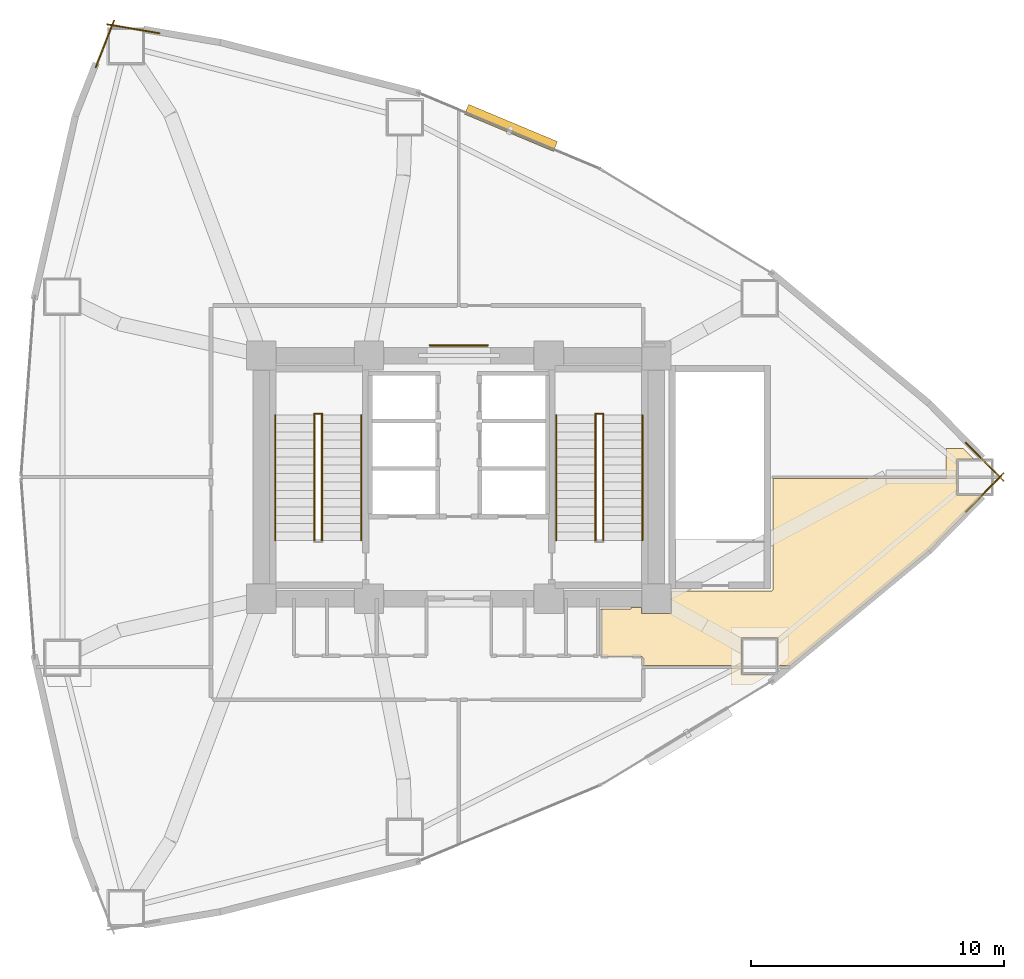
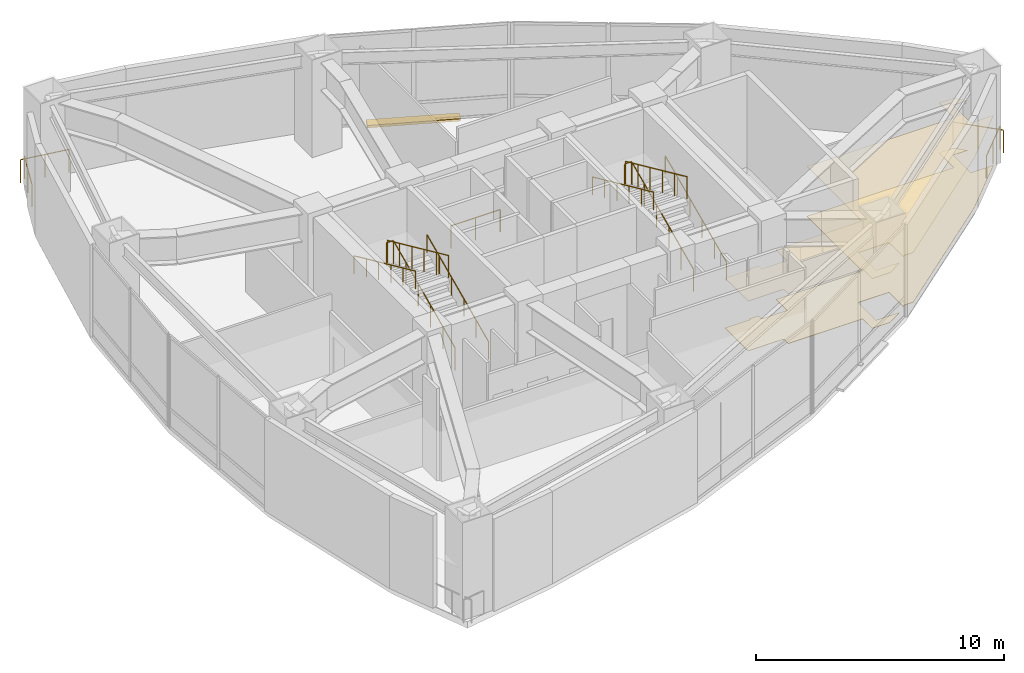
# One storey, part 19 of 19: 15 railings, 2 coverings, 1 shading device.
"""IFC4 building model written with IfcOpenShell, lengths in metres."""

import ifcopenshell
import ifcopenshell.guid

model = None  # the IFC model being written
_history = None  # IfcOwnerHistory: only IFC2X3 demands one
_inside = {}  # id of a spatial element -> (the spatial element, [elements in it])
_under = {}  # id of a project, library or spatial element -> (it, [spatial elements below it])
_declared = {}  # id of a project -> (the project, [libraries it declares])
_typed = {}  # id of a type object -> (the type object, [elements of that type])
_made_of = {}  # id of a material, layer set ... -> (it, [elements and type objects made of it])


def new_model(schema):
    """Start an empty IFC model of exactly this schema.

    Asked for "IFC4X3", IfcOpenShell would pick the latest addendum, in which some entities
    have other attributes; the version numbers below select the first issue.
    IFC2X3 requires an IfcOwnerHistory on every rooted entity: one is made here for all.
    """
    global model, _history
    if schema == "IFC4X3":
        model = ifcopenshell.file(schema_version=(4, 3, 0, 0))
    else:
        model = ifcopenshell.file(schema=schema)
    _inside.clear()
    _under.clear()
    _declared.clear()
    _typed.clear()
    _made_of.clear()
    _history = None
    if model.schema == "IFC2X3":
        org = make("IfcOrganization", Name="unknown")
        user = make(
            "IfcPersonAndOrganization",
            ThePerson=make("IfcPerson", FamilyName="unknown"),
            TheOrganization=org,
        )
        app = make(
            "IfcApplication",
            ApplicationDeveloper=org,
            Version="unknown",
            ApplicationFullName="unknown",
            ApplicationIdentifier="unknown",
        )
        _history = make(
            "IfcOwnerHistory",
            OwningUser=user,
            OwningApplication=app,
            ChangeAction="ADDED",
            CreationDate=0,
        )
    return model


def make(cls, **values):
    """One entity of the class cls with the attributes given. An attribute that is None is left unset."""
    return model.create_entity(
        cls, **{name: value for name, value in values.items() if value is not None}
    )


def rooted(cls, **values):
    """An entity with a GlobalId (a new one), such as an element, a storey or a relation."""
    return make(cls, GlobalId=ifcopenshell.guid.new(), OwnerHistory=_history, **values)


def si_unit(unit_type, name, prefix=None):
    """IfcSIUnit, for example si_unit("LENGTHUNIT", "METRE", prefix="MILLI")."""
    return make("IfcSIUnit", UnitType=unit_type, Prefix=prefix, Name=name)


def assignment(units):
    """IfcUnitAssignment: the units of a project."""
    return None if units is None else make("IfcUnitAssignment", Units=units)


def point(xyz):
    """IfcCartesianPoint."""
    return None if xyz is None else make("IfcCartesianPoint", Coordinates=xyz)


def direction(xyz):
    """IfcDirection."""
    return None if xyz is None else make("IfcDirection", DirectionRatios=xyz)


def frame(location, z_axis=None, x_axis=None):
    """IfcAxis2Placement3D, a coordinate frame: its origin and axes. An axis left out is left unset."""
    return make(
        "IfcAxis2Placement3D",
        Location=point(location),
        Axis=direction(z_axis),
        RefDirection=direction(x_axis),
    )


def frame_2d(location, x_axis=None):
    """IfcAxis2Placement2D, a coordinate frame in the plane: its origin and x axis."""
    return make(
        "IfcAxis2Placement2D", Location=point(location), RefDirection=direction(x_axis)
    )


def origin():
    """The frame at (0, 0, 0) with its axes left unset."""
    return frame((0.0, 0.0, 0.0))


def origin_2d():
    """The frame at (0, 0) in the plane with its x axis left unset."""
    return frame_2d((0.0, 0.0))


def place(relative_to, where):
    """IfcLocalPlacement: puts the frame where relative to a parent placement (None: the world)."""
    return make(
        "IfcLocalPlacement", PlacementRelTo=relative_to, RelativePlacement=where
    )


def context(
    kind, dimensions, precision=None, world=None, true_north=None, identifier=None
):
    """IfcGeometricRepresentationContext, for example the 3D "Model" context."""
    return make(
        "IfcGeometricRepresentationContext",
        ContextIdentifier=identifier,
        ContextType=kind,
        CoordinateSpaceDimension=dimensions,
        Precision=precision,
        WorldCoordinateSystem=world,
        TrueNorth=true_north,
    )


def subcontext(parent, identifier, kind, view, scale=None):
    """IfcGeometricRepresentationSubContext, for example "Body" below "Model"."""
    return make(
        "IfcGeometricRepresentationSubContext",
        ContextIdentifier=identifier,
        ContextType=kind,
        ParentContext=parent,
        TargetScale=scale,
        TargetView=view,
    )


def project(units=None, contexts=None):
    """IfcProject with its units and contexts."""
    return rooted(
        "IfcProject",
        Name="project",
        RepresentationContexts=contexts,
        UnitsInContext=assignment(units),
    )


def spatial(cls, under=None, at=None, **own):
    """A site, building, storey or space (cls), placed at a placement, below another one or the project."""
    s = rooted(cls, ObjectPlacement=at, **own)
    if under is not None:
        _under.setdefault(under.id(), (under, []))[1].append(s)
    return s


def polyline(points):
    """IfcPolyline through the points."""
    return make("IfcPolyline", Points=[point(p) for p in points])


def profile(cls, at=None, kind="AREA", **sizes):
    """A parametric profile (cls). Its sizes go by their IFC names, for example OverallWidth=200.0."""
    return make(cls, ProfileType=kind, Position=at, **sizes)


def rectangle(**sizes):
    """IfcRectangleProfileDef."""
    return profile("IfcRectangleProfileDef", **sizes)


def circle(**sizes):
    """IfcCircleProfileDef."""
    return profile("IfcCircleProfileDef", **sizes)


def outline(outer, holes=None, kind="AREA"):
    """IfcArbitraryClosedProfileDef: a profile drawn as a closed curve; with holes, ...WithVoids."""
    if holes is None:
        return make("IfcArbitraryClosedProfileDef", ProfileType=kind, OuterCurve=outer)
    return make(
        "IfcArbitraryProfileDefWithVoids",
        ProfileType=kind,
        OuterCurve=outer,
        InnerCurves=holes,
    )


def extrude(swept, where, along, depth):
    """IfcExtrudedAreaSolid: the profile swept, set in the frame where, extruded along a direction by depth."""
    return make(
        "IfcExtrudedAreaSolid",
        SweptArea=swept,
        Position=where,
        ExtrudedDirection=direction(along),
        Depth=depth,
    )


def shape(context_of_items, identifier, shape_type, items):
    """IfcShapeRepresentation: the items that make up one representation, for example the "Body"."""
    return make(
        "IfcShapeRepresentation",
        ContextOfItems=context_of_items,
        RepresentationIdentifier=identifier,
        RepresentationType=shape_type,
        Items=items,
    )


def material(Name=None, Category=None):
    """IfcMaterial."""
    return make("IfcMaterial", Name=Name, Category=Category)


def layer(
    of_material, thickness, ventilated=None, Name=None, Category=None, Priority=None
):
    """IfcMaterialLayer: one layer of a wall or slab, of a material (None: an air gap)."""
    return make(
        "IfcMaterialLayer",
        Material=of_material,
        LayerThickness=thickness,
        IsVentilated=ventilated,
        Name=Name,
        Category=Category,
        Priority=Priority,
    )


def layer_set(layers, Name=None):
    """IfcMaterialLayerSet."""
    return make("IfcMaterialLayerSet", MaterialLayers=layers, LayerSetName=Name)


def made_of(thing, what):
    """Note that an element or type object is made of a material, layer set ...; save() writes the relation."""
    if what is not None:
        _made_of.setdefault(what.id(), (what, []))[1].append(thing)
    return thing


def type_object(cls, material=None, **own):
    """A type object (cls), such as IfcWallType, which elements share."""
    return made_of(rooted(cls, **own), material)


def element(
    cls,
    number,
    at=None,
    inside=None,
    cuts=None,
    type_object=None,
    material=None,
    context=None,
    identifier="Body",
    shape_type=None,
    held_by="IfcProductDefinitionShape",
    body=None,
    shapes=None,
    **own,
):
    """One element of the class cls, such as IfcWall. Its Tag is "e" and its number.

    at: its placement. inside: the storey or other place that contains it. cuts: it is an
    opening in that element (IfcRelVoidsElement). A single representation is given by context,
    identifier, shape_type and body (its items); several are given by shapes. held_by: the class
    of the entity that holds the representations. save() writes the other relations.
    """
    e = rooted(cls, Tag="e%d" % number, ObjectPlacement=at, **own)
    if body is not None:
        shapes = [shape(context, identifier, shape_type, body)]
    if shapes is not None:
        e.Representation = make(held_by, Representations=shapes)
    if inside is not None:
        _inside.setdefault(inside.id(), (inside, []))[1].append(e)
    if cuts is not None:
        rooted(
            "IfcRelVoidsElement", RelatingBuildingElement=cuts, RelatedOpeningElement=e
        )
    if type_object is not None:
        _typed.setdefault(type_object.id(), (type_object, []))[1].append(e)
    return made_of(e, material)


def aggregate(whole, parts):
    """IfcRelAggregates: a whole, such as a stair, and the parts it consists of."""
    return rooted("IfcRelAggregates", RelatingObject=whole, RelatedObjects=parts)


def save(model, path):
    """Write the relations noted so far, then the file.

    IfcRelAggregates (storeys below a building ...), IfcRelContainedInSpatialStructure (elements
    in a storey), IfcRelDefinesByType, IfcRelAssociatesMaterial and IfcRelDeclares: one each for
    every whole, place, type object, material and project.
    """
    for whole, parts in _under.values():
        aggregate(whole, parts)
    for where, things in _inside.values():
        rooted(
            "IfcRelContainedInSpatialStructure",
            RelatedElements=things,
            RelatingStructure=where,
        )
    for kind, things in _typed.values():
        rooted("IfcRelDefinesByType", RelatedObjects=things, RelatingType=kind)
    for what, things in _made_of.values():
        rooted("IfcRelAssociatesMaterial", RelatedObjects=things, RelatingMaterial=what)
    for by, libraries in _declared.values():
        rooted("IfcRelDeclares", RelatingContext=by, RelatedDefinitions=libraries)
    model.write(path)


model = new_model("IFC4")

# Units and contexts
model_context = context("Model", 3, precision=1e-05, world=origin(), true_north=direction((0.0, 1.0)))
body_context = subcontext(model_context, "Body", "Model", "MODEL_VIEW")
ifc_project = project(units=[si_unit("LENGTHUNIT", "METRE"), si_unit("AREAUNIT", "SQUARE_METRE"), si_unit("VOLUMEUNIT", "CUBIC_METRE"), si_unit("PLANEANGLEUNIT", "RADIAN"), si_unit("MASSUNIT", "GRAM", prefix="KILO")], contexts=[model_context])

# Site, building, storey
site_placement = place(None, origin())
site = spatial("IfcSite", under=ifc_project, at=site_placement, CompositionType="ELEMENT")
building_placement = place(site_placement, origin())
building = spatial("IfcBuilding", under=site, at=building_placement, Name="Menara Vayukalpa", CompositionType="ELEMENT")
storey_placement = place(building_placement, frame((0.0, 0.0, 22.800048828125)))
storey = spatial("IfcBuildingStorey", under=building, at=storey_placement, Name="L04", CompositionType="ELEMENT", Elevation=22.800048828125)

# Coverings
ifc_material_1 = material(Name="Mineral Fibre Acoustic Ceiling Tile", Category="masonry")
ifc_layer_1 = layer(ifc_material_1, 0.02490234375)
ifc_layer_set_1 = layer_set([ifc_layer_1], Name="Mineral Fibre Acoustic Ceiling Tile")
covering_type_1 = type_object("IfcCoveringType", Name="COV-CLG1", PredefinedType="CEILING", material=ifc_layer_set_1)
covering_1_placement = place(storey_placement, frame((0.0, 0.0, 2.449951171875)))
element("IfcCovering", 1, at=covering_1_placement, inside=storey, type_object=covering_type_1, Name="L04 Executive Seminar Hall Acoustic Ceiling", PredefinedType="CEILING", context=body_context, shape_type="SweptSolid", body=[
    extrude(outline(polyline([(37.17919921875, 13.794189453125), (36.339111328125, 13.794189453125), (36.339111328125, 14.56005859375), (32.8798828125, 14.56005859375), (32.87890625, 14.56005859375), (32.8779296875, 14.560302734375), (32.877197265625, 14.560302734375), (32.876220703125, 14.560791015625), (32.875244140625, 14.561279296875), (32.87451171875, 14.561767578125), (32.873779296875, 14.562255859375), (32.872802734375, 14.56298828125), (32.872314453125, 14.563720703125), (32.87158203125, 14.564453125), (32.87109375, 14.565185546875), (32.870849609375, 14.566162109375), (32.870361328125, 14.567138671875), (32.8701171875, 14.568115234375), (32.8701171875, 14.569091796875), (32.8701171875, 14.570068359375), (32.8701171875, 14.849609375), (32.86962890625, 14.856689453125), (32.86865234375, 14.86376953125), (32.866943359375, 14.870361328125), (32.86474609375, 14.876708984375), (32.86181640625, 14.883056640625), (32.858154296875, 14.888916015625), (32.85400390625, 14.89453125), (32.849609375, 14.8994140625), (32.844482421875, 14.904052734375), (32.8388671875, 14.908203125), (32.8330078125, 14.911865234375), (32.826904296875, 14.914794921875), (32.8203125, 14.9169921875), (32.813720703125, 14.918701171875), (32.806884765625, 14.919677734375), (32.7998046875, 14.919921875), (31.219970703125, 14.919921875), (31.218994140625, 14.919921875), (31.218017578125, 14.920166015625), (31.217041015625, 14.92041015625), (31.21630859375, 14.9208984375), (31.21533203125, 14.921142578125), (31.21435546875, 14.921630859375), (31.213623046875, 14.92236328125), (31.212890625, 14.9228515625), (31.21240234375, 14.923583984375), (31.211669921875, 14.92431640625), (31.211181640625, 14.92529296875), (31.210693359375, 14.92626953125), (31.21044921875, 14.927001953125), (31.210205078125, 14.927978515625), (31.2099609375, 14.928955078125), (31.2099609375, 14.929931640625), (31.2099609375, 16.780029296875), (31.2099609375, 16.781005859375), (31.210205078125, 16.781982421875), (31.21044921875, 16.782958984375), (31.210693359375, 16.78369140625), (31.211181640625, 16.78466796875), (31.211669921875, 16.78564453125), (31.21240234375, 16.786376953125), (31.212890625, 16.787109375), (31.213623046875, 16.78759765625), (31.21435546875, 16.788330078125), (31.21533203125, 16.788818359375), (31.21630859375, 16.789306640625), (31.217041015625, 16.78955078125), (31.218017578125, 16.789794921875), (31.218994140625, 16.7900390625), (31.219970703125, 16.7900390625), (32.389892578125, 16.7900390625), (32.389892578125, 16.85009765625), (32.81005859375, 16.85009765625), (32.81005859375, 16.610107421875), (33.989990234375, 16.610107421875), (33.989990234375, 17.5), (37.9296875, 17.5), (37.936767578125, 17.50048828125), (37.943603515625, 17.501220703125), (37.9501953125, 17.5029296875), (37.956787109375, 17.50537109375), (37.962890625, 17.50830078125), (37.96875, 17.51171875), (37.974609375, 17.51611328125), (37.9794921875, 17.5205078125), (37.98388671875, 17.525390625), (37.98828125, 17.53125), (37.99169921875, 17.537109375), (37.99462890625, 17.543212890625), (37.9970703125, 17.5498046875), (37.998779296875, 17.556396484375), (37.99951171875, 17.563232421875), (38.0, 17.5703125), (38.0, 21.929931640625), (38.0, 21.930908203125), (38.000244140625, 21.931884765625), (38.00048828125, 21.932861328125), (38.000732421875, 21.933837890625), (38.001220703125, 21.934814453125), (38.001708984375, 21.935546875), (38.002197265625, 21.936279296875), (38.0029296875, 21.93701171875), (38.003662109375, 21.937744140625), (38.00439453125, 21.938232421875), (38.00537109375, 21.938720703125), (38.006103515625, 21.939208984375), (38.007080078125, 21.939697265625), (38.008056640625, 21.939697265625), (38.009033203125, 21.93994140625), (38.010009765625, 21.93994140625), (44.84423828125, 21.93994140625), (44.84423828125, 23.135009765625), (45.5224609375, 23.135009765625), (45.934814453125, 22.715087890625), (45.26416015625, 22.715087890625), (45.26416015625, 21.284912109375), (46.313232421875, 21.284912109375), (44.163818359375, 19.095947265625), (44.1630859375, 19.09521484375), (38.689208984375, 14.5556640625), (38.6884765625, 14.55517578125), (38.687744140625, 14.5546875), (38.68701171875, 14.55419921875), (38.68603515625, 14.553955078125), (38.68505859375, 14.5537109375), (38.68408203125, 14.553466796875), (38.68310546875, 14.553466796875), (38.68212890625, 14.553466796875), (38.681396484375, 14.553466796875), (38.680419921875, 14.5537109375), (38.679443359375, 14.553955078125), (38.6787109375, 14.554443359375), (38.676513671875, 14.555419921875), (38.6708984375, 14.557373046875), (38.6650390625, 14.558837890625), (38.659423828125, 14.559814453125), (38.6533203125, 14.56005859375), (38.271484375, 14.56005859375), (38.18896484375, 14.49169921875), (38.18896484375, 15.64404296875), (36.759033203125, 15.64404296875), (36.759033203125, 14.214111328125), (37.8544921875, 14.214111328125), (37.810302734375, 14.177490234375), (37.17919921875, 13.794189453125)])), origin(), (0.0, 0.0, 1.0), 0.02490234375),
])
ifc_material_2 = material(Name="Porcelain Stoneware Floor Tile", Category="masonry")
ifc_layer_2 = layer(ifc_material_2, 0.02001953125)
ifc_layer_set_2 = layer_set([ifc_layer_2], Name="Porcelain Stoneware Floor Tile")
covering_type_2 = type_object("IfcCoveringType", Name="COV-FLR1", PredefinedType="FLOORING", material=ifc_layer_set_2)
covering_2_placement = place(storey_placement, origin())
element("IfcCovering", 2, at=covering_2_placement, inside=storey, type_object=covering_type_2, Name="L04 Executive Seminar Hall Porcelain Flooring", PredefinedType="FLOORING", context=body_context, shape_type="SweptSolid", body=[
    extrude(outline(polyline([(37.17919921875, 13.794189453125), (36.339111328125, 13.794189453125), (36.339111328125, 14.56005859375), (32.8798828125, 14.56005859375), (32.87890625, 14.56005859375), (32.8779296875, 14.560302734375), (32.877197265625, 14.560302734375), (32.876220703125, 14.560791015625), (32.875244140625, 14.561279296875), (32.87451171875, 14.561767578125), (32.873779296875, 14.562255859375), (32.872802734375, 14.56298828125), (32.872314453125, 14.563720703125), (32.87158203125, 14.564453125), (32.87109375, 14.565185546875), (32.870849609375, 14.566162109375), (32.870361328125, 14.567138671875), (32.8701171875, 14.568115234375), (32.8701171875, 14.569091796875), (32.8701171875, 14.570068359375), (32.8701171875, 14.849609375), (32.86962890625, 14.856689453125), (32.86865234375, 14.86376953125), (32.866943359375, 14.870361328125), (32.86474609375, 14.876708984375), (32.86181640625, 14.883056640625), (32.858154296875, 14.888916015625), (32.85400390625, 14.89453125), (32.849609375, 14.8994140625), (32.844482421875, 14.904052734375), (32.8388671875, 14.908203125), (32.8330078125, 14.911865234375), (32.826904296875, 14.914794921875), (32.8203125, 14.9169921875), (32.813720703125, 14.918701171875), (32.806884765625, 14.919677734375), (32.7998046875, 14.919921875), (31.219970703125, 14.919921875), (31.218994140625, 14.919921875), (31.218017578125, 14.920166015625), (31.217041015625, 14.92041015625), (31.21630859375, 14.9208984375), (31.21533203125, 14.921142578125), (31.21435546875, 14.921630859375), (31.213623046875, 14.92236328125), (31.212890625, 14.9228515625), (31.21240234375, 14.923583984375), (31.211669921875, 14.92431640625), (31.211181640625, 14.92529296875), (31.210693359375, 14.92626953125), (31.21044921875, 14.927001953125), (31.210205078125, 14.927978515625), (31.2099609375, 14.928955078125), (31.2099609375, 14.929931640625), (31.2099609375, 16.780029296875), (31.2099609375, 16.781005859375), (31.210205078125, 16.781982421875), (31.21044921875, 16.782958984375), (31.210693359375, 16.78369140625), (31.211181640625, 16.78466796875), (31.211669921875, 16.78564453125), (31.21240234375, 16.786376953125), (31.212890625, 16.787109375), (31.213623046875, 16.78759765625), (31.21435546875, 16.788330078125), (31.21533203125, 16.788818359375), (31.21630859375, 16.789306640625), (31.217041015625, 16.78955078125), (31.218017578125, 16.789794921875), (31.218994140625, 16.7900390625), (31.219970703125, 16.7900390625), (32.389892578125, 16.7900390625), (32.389892578125, 16.85009765625), (32.81005859375, 16.85009765625), (32.81005859375, 16.610107421875), (33.989990234375, 16.610107421875), (33.989990234375, 17.5), (37.9296875, 17.5), (37.936767578125, 17.50048828125), (37.943603515625, 17.501220703125), (37.9501953125, 17.5029296875), (37.956787109375, 17.50537109375), (37.962890625, 17.50830078125), (37.96875, 17.51171875), (37.974609375, 17.51611328125), (37.9794921875, 17.5205078125), (37.98388671875, 17.525390625), (37.98828125, 17.53125), (37.99169921875, 17.537109375), (37.99462890625, 17.543212890625), (37.9970703125, 17.5498046875), (37.998779296875, 17.556396484375), (37.99951171875, 17.563232421875), (38.0, 17.5703125), (38.0, 21.929931640625), (38.0, 21.930908203125), (38.000244140625, 21.931884765625), (38.00048828125, 21.932861328125), (38.000732421875, 21.933837890625), (38.001220703125, 21.934814453125), (38.001708984375, 21.935546875), (38.002197265625, 21.936279296875), (38.0029296875, 21.93701171875), (38.003662109375, 21.937744140625), (38.00439453125, 21.938232421875), (38.00537109375, 21.938720703125), (38.006103515625, 21.939208984375), (38.007080078125, 21.939697265625), (38.008056640625, 21.939697265625), (38.009033203125, 21.93994140625), (38.010009765625, 21.93994140625), (44.84423828125, 21.93994140625), (44.84423828125, 23.135009765625), (45.5224609375, 23.135009765625), (45.934814453125, 22.715087890625), (45.26416015625, 22.715087890625), (45.26416015625, 21.284912109375), (46.313232421875, 21.284912109375), (44.163818359375, 19.095947265625), (44.1630859375, 19.09521484375), (38.689208984375, 14.5556640625), (38.6884765625, 14.55517578125), (38.687744140625, 14.5546875), (38.68701171875, 14.55419921875), (38.68603515625, 14.553955078125), (38.68505859375, 14.5537109375), (38.68408203125, 14.553466796875), (38.68310546875, 14.553466796875), (38.68212890625, 14.553466796875), (38.681396484375, 14.553466796875), (38.680419921875, 14.5537109375), (38.679443359375, 14.553955078125), (38.6787109375, 14.554443359375), (38.676513671875, 14.555419921875), (38.6708984375, 14.557373046875), (38.6650390625, 14.558837890625), (38.659423828125, 14.559814453125), (38.6533203125, 14.56005859375), (38.271484375, 14.56005859375), (38.18896484375, 14.49169921875), (38.18896484375, 15.64404296875), (36.759033203125, 15.64404296875), (36.759033203125, 14.214111328125), (37.8544921875, 14.214111328125), (37.810302734375, 14.177490234375), (37.17919921875, 13.794189453125)])), origin(), (0.0, 0.0, 1.0), 0.02001953125),
])

# Railings
ifc_material_3 = material(Name="Laminated Glass Interior Balustrade", Category="glass")
railing_type_1 = type_object("IfcRailingType", Name="RLG-BAL110", PredefinedType="BALUSTRADE", material=ifc_material_3)
railing_1_placement = place(storey_placement, frame((24.449951171875, 27.199951171875, 0.0)))
element("IfcRailing", 3, at=railing_1_placement, inside=storey, type_object=railing_type_1, Name="L04 Concourse Feature Glass Balustrade", PredefinedType="BALUSTRADE", context=body_context, shape_type="SweptSolid", body=[
    extrude(circle(Radius=0.02392578125, at=origin_2d()), frame((0.0, 0.0, 1.09619140625), z_axis=(1.0, 0.0, 0.0), x_axis=(0.0, 1.0, 0.0)), (0.0, 0.0, 1.0), 2.300048828125),
    extrude(circle(Radius=0.02099609375, at=origin_2d()), origin(), (0.0, 0.0, 1.0), 1.072021484375),
    extrude(circle(Radius=0.02099609375, at=origin_2d()), frame((1.14990234375, 0.0, 0.0)), (0.0, 0.0, 1.0), 1.072021484375),
    extrude(circle(Radius=0.02099609375, at=origin_2d()), frame((2.300048828125, 0.0, 0.0)), (0.0, 0.0, 1.0), 1.072021484375),
])
ifc_material_4 = material(Name="Laminated Glass and Stainless Steel 316 Guardrail", Category="steel")
railing_type_2 = type_object("IfcRailingType", Name="RLG-EXT115", PredefinedType="GUARDRAIL", material=ifc_material_4)
railing_2_placement = place(storey_placement, frame((45.62353515625, 20.6396484375, 0.0)))
element("IfcRailing", 4, at=railing_2_placement, inside=storey, type_object=railing_type_2, Name="L04 Column Corner Spandrel Guardrail 01-1", PredefinedType="GUARDRAIL", context=body_context, shape_type="SweptSolid", body=[
    extrude(circle(Radius=0.02392578125, at=origin_2d()), frame((0.0, 0.0, 1.1259765625), z_axis=(0.700614652117, 0.713539844184, 0.0), x_axis=(-0.713539844184, 0.700614652117, 0.0)), (0.0, 0.0, 1.0), 2.115478515625),
    extrude(circle(Radius=0.02099609375, at=origin_2d()), origin(), (0.0, 0.0, 1.0), 1.101806640625),
    extrude(circle(Radius=0.02099609375, at=origin_2d()), frame((0.7412109375, 0.7548828125, 0.0)), (0.0, 0.0, 1.0), 1.101806640625),
    extrude(circle(Radius=0.02099609375, at=origin_2d()), frame((1.482177734375, 1.509521484375, 0.0)), (0.0, 0.0, 1.0), 1.101806640625),
])
railing_3_placement = place(storey_placement, frame((47.105712890625, 21.850830078125, 0.0)))
element("IfcRailing", 5, at=railing_3_placement, inside=storey, type_object=railing_type_2, Name="L04 Column Corner Spandrel Guardrail 02-1", PredefinedType="GUARDRAIL", context=body_context, shape_type="SweptSolid", body=[
    extrude(circle(Radius=0.02392578125, at=origin_2d()), frame((0.0, 0.0, 1.1259765625), z_axis=(-0.700614652117, 0.713539844184, 0.0), x_axis=(-0.713539844184, -0.700614652117, 0.0)), (0.0, 0.0, 1.0), 2.115478515625),
    extrude(circle(Radius=0.02099609375, at=origin_2d()), origin(), (0.0, 0.0, 1.0), 1.101806640625),
    extrude(circle(Radius=0.02099609375, at=origin_2d()), frame((-0.7412109375, 0.7548828125, 0.0)), (0.0, 0.0, 1.0), 1.101806640625),
    extrude(circle(Radius=0.02099609375, at=origin_2d()), frame((-1.482177734375, 1.509521484375, 0.0)), (0.0, 0.0, 1.0), 1.101806640625),
])
railing_4_placement = place(storey_placement, frame((13.78369140625, 39.524658203125, 0.0)))
element("IfcRailing", 6, at=railing_4_placement, inside=storey, type_object=railing_type_2, Name="L04 Column Corner Spandrel Guardrail 07-1", PredefinedType="GUARDRAIL", context=body_context, shape_type="SweptSolid", body=[
    extrude(circle(Radius=0.02392578125, at=origin_2d()), frame((0.0, 0.0, 1.1259765625), z_axis=(-0.985904350491, 0.167309927029, 0.0), x_axis=(-0.167309927029, -0.985904350491, 0.0)), (0.0, 0.0, 1.0), 2.093994140625),
    extrude(circle(Radius=0.02099609375, at=origin_2d()), origin(), (0.0, 0.0, 1.0), 1.101806640625),
    extrude(circle(Radius=0.02099609375, at=origin_2d()), frame((-1.0322265625, 0.17529296875, 0.0)), (0.0, 0.0, 1.0), 1.101806640625),
    extrude(circle(Radius=0.02099609375, at=origin_2d()), frame((-2.064453125, 0.350341796875, 0.0)), (0.0, 0.0, 1.0), 1.101806640625),
])
railing_5_placement = place(storey_placement, frame((11.990478515625, 40.028076171875, 0.0)))
element("IfcRailing", 7, at=railing_5_placement, inside=storey, type_object=railing_type_2, Name="L04 Column Corner Spandrel Guardrail 08-1", PredefinedType="GUARDRAIL", context=body_context, shape_type="SweptSolid", body=[
    extrude(circle(Radius=0.02392578125, at=origin_2d()), frame((0.0, 0.0, 1.1259765625), z_axis=(-0.365580158762, -0.930779859859, 0.0), x_axis=(0.930779859859, -0.365580158762, 0.0)), (0.0, 0.0, 1.0), 1.9873046875),
    extrude(circle(Radius=0.02099609375, at=origin_2d()), origin(), (0.0, 0.0, 1.0), 1.101806640625),
    extrude(circle(Radius=0.02099609375, at=origin_2d()), frame((-0.36328125, -0.9248046875, 0.0)), (0.0, 0.0, 1.0), 1.101806640625),
    extrude(circle(Radius=0.02099609375, at=origin_2d()), frame((-0.7265625, -1.849853515625, 0.0)), (0.0, 0.0, 1.0), 1.101806640625),
])
ifc_material_5 = material(Name="Powder-Coated Galvanised Steel Guardrail", Category="steel")
railing_type_3 = type_object("IfcRailingType", Name="RLG-STG110", PredefinedType="GUARDRAIL", material=ifc_material_5)
railing_6_placement = place(storey_placement, frame((20.199951171875, 19.5, 0.14990234375)))
element("IfcRailing", 8, at=railing_6_placement, inside=storey, type_object=railing_type_3, Name="L04 ST-1 stair guard 1", PredefinedType="GUARDRAIL", context=body_context, shape_type="SweptSolid", body=[
    extrude(circle(Radius=0.02392578125, at=origin_2d()), frame((0.0, 0.0, 1.09619140625), z_axis=(0.0, 0.910364939756, 0.41380632724), x_axis=(-1.0, 0.0, 0.0)), (0.0, 0.0, 1.0), 5.437255859375),
    extrude(circle(Radius=0.02099609375, at=origin_2d()), origin(), (0.0, 0.0, 1.0), 1.072021484375),
    extrude(circle(Radius=0.02099609375, at=origin_2d()), frame((0.0, 0.989990234375, 0.449951171875)), (0.0, 0.0, 1.0), 1.072021484375),
    extrude(circle(Radius=0.02099609375, at=origin_2d()), frame((0.0, 1.97998046875, 0.89990234375)), (0.0, 0.0, 1.0), 1.072021484375),
    extrude(circle(Radius=0.02099609375, at=origin_2d()), frame((0.0, 2.969970703125, 1.35009765625)), (0.0, 0.0, 1.0), 1.072021484375),
    extrude(circle(Radius=0.02099609375, at=origin_2d()), frame((0.0, 3.9599609375, 1.800048828125)), (0.0, 0.0, 1.0), 1.072021484375),
    extrude(circle(Radius=0.02099609375, at=origin_2d()), frame((0.0, 4.949951171875, 2.25)), (0.0, 0.0, 1.0), 1.072021484375),
])
railing_7_placement = place(storey_placement, frame((20.2099609375, 24.5, 2.39990234375)))
element("IfcRailing", 9, at=railing_7_placement, inside=storey, type_object=railing_type_3, Name="L04 ST-1 stair guard 2", PredefinedType="GUARDRAIL", context=body_context, shape_type="SweptSolid", body=[
    extrude(circle(Radius=0.02392578125, at=origin_2d()), frame((0.0, 0.0, 1.09619140625), z_axis=(-1.0, 0.0, 0.0), x_axis=(0.0, -1.0, 0.0)), (0.0, 0.0, 1.0), 0.320068359375),
    extrude(circle(Radius=0.02099609375, at=origin_2d()), origin(), (0.0, 0.0, 1.0), 1.072021484375),
    extrude(circle(Radius=0.02099609375, at=origin_2d()), frame((-0.320068359375, 0.0, 0.0)), (0.0, 0.0, 1.0), 1.072021484375),
])
railing_8_placement = place(storey_placement, frame((19.89990234375, 24.449951171875, 2.550048828125)))
element("IfcRailing", 10, at=railing_8_placement, inside=storey, type_object=railing_type_3, Name="L04 ST-1 stair guard 3", PredefinedType="GUARDRAIL", context=body_context, shape_type="SweptSolid", body=[
    extrude(circle(Radius=0.02392578125, at=origin_2d()), frame((0.0, 0.0, 1.09619140625), z_axis=(0.0, -0.910364939756, 0.41380632724), x_axis=(1.0, 0.0, 0.0)), (0.0, 0.0, 1.0), 5.437255859375),
    extrude(circle(Radius=0.02099609375, at=origin_2d()), origin(), (0.0, 0.0, 1.0), 1.072021484375),
    extrude(circle(Radius=0.02099609375, at=origin_2d()), frame((0.0, -0.989990234375, 0.449951171875)), (0.0, 0.0, 1.0), 1.072021484375),
    extrude(circle(Radius=0.02099609375, at=origin_2d()), frame((0.0, -1.97998046875, 0.89990234375)), (0.0, 0.0, 1.0), 1.072021484375),
    extrude(circle(Radius=0.02099609375, at=origin_2d()), frame((0.0, -2.969970703125, 1.35009765625)), (0.0, 0.0, 1.0), 1.072021484375),
    extrude(circle(Radius=0.02099609375, at=origin_2d()), frame((0.0, -3.9599609375, 1.800048828125)), (0.0, 0.0, 1.0), 1.072021484375),
    extrude(circle(Radius=0.02099609375, at=origin_2d()), frame((0.0, -4.949951171875, 2.25)), (0.0, 0.0, 1.0), 1.072021484375),
])
railing_9_placement = place(storey_placement, frame((31.300048828125, 19.5, 0.14990234375)))
element("IfcRailing", 11, at=railing_9_placement, inside=storey, type_object=railing_type_3, Name="L04 ST-2 stair guard 1", PredefinedType="GUARDRAIL", context=body_context, shape_type="SweptSolid", body=[
    extrude(circle(Radius=0.02392578125, at=origin_2d()), frame((0.0, 0.0, 1.09619140625), z_axis=(0.0, 0.910364939756, 0.41380632724), x_axis=(-1.0, 0.0, 0.0)), (0.0, 0.0, 1.0), 5.437255859375),
    extrude(circle(Radius=0.02099609375, at=origin_2d()), origin(), (0.0, 0.0, 1.0), 1.072021484375),
    extrude(circle(Radius=0.02099609375, at=origin_2d()), frame((0.0, 0.989990234375, 0.449951171875)), (0.0, 0.0, 1.0), 1.072021484375),
    extrude(circle(Radius=0.02099609375, at=origin_2d()), frame((0.0, 1.97998046875, 0.89990234375)), (0.0, 0.0, 1.0), 1.072021484375),
    extrude(circle(Radius=0.02099609375, at=origin_2d()), frame((0.0, 2.969970703125, 1.35009765625)), (0.0, 0.0, 1.0), 1.072021484375),
    extrude(circle(Radius=0.02099609375, at=origin_2d()), frame((0.0, 3.9599609375, 1.800048828125)), (0.0, 0.0, 1.0), 1.072021484375),
    extrude(circle(Radius=0.02099609375, at=origin_2d()), frame((0.0, 4.949951171875, 2.25)), (0.0, 0.0, 1.0), 1.072021484375),
])
railing_10_placement = place(storey_placement, frame((31.31005859375, 24.5, 2.39990234375)))
element("IfcRailing", 12, at=railing_10_placement, inside=storey, type_object=railing_type_3, Name="L04 ST-2 stair guard 2", PredefinedType="GUARDRAIL", context=body_context, shape_type="SweptSolid", body=[
    extrude(circle(Radius=0.02392578125, at=origin_2d()), frame((0.0, 0.0, 1.09619140625), z_axis=(-1.0, 0.0, 0.0), x_axis=(0.0, -1.0, 0.0)), (0.0, 0.0, 1.0), 0.320068359375),
    extrude(circle(Radius=0.02099609375, at=origin_2d()), origin(), (0.0, 0.0, 1.0), 1.072021484375),
    extrude(circle(Radius=0.02099609375, at=origin_2d()), frame((-0.320068359375, 0.0, 0.0)), (0.0, 0.0, 1.0), 1.072021484375),
])
railing_11_placement = place(storey_placement, frame((31.0, 24.449951171875, 2.550048828125)))
element("IfcRailing", 13, at=railing_11_placement, inside=storey, type_object=railing_type_3, Name="L04 ST-2 stair guard 3", PredefinedType="GUARDRAIL", context=body_context, shape_type="SweptSolid", body=[
    extrude(circle(Radius=0.02392578125, at=origin_2d()), frame((0.0, 0.0, 1.09619140625), z_axis=(0.0, -0.910364939756, 0.41380632724), x_axis=(1.0, 0.0, 0.0)), (0.0, 0.0, 1.0), 5.437255859375),
    extrude(circle(Radius=0.02099609375, at=origin_2d()), origin(), (0.0, 0.0, 1.0), 1.072021484375),
    extrude(circle(Radius=0.02099609375, at=origin_2d()), frame((0.0, -0.989990234375, 0.449951171875)), (0.0, 0.0, 1.0), 1.072021484375),
    extrude(circle(Radius=0.02099609375, at=origin_2d()), frame((0.0, -1.97998046875, 0.89990234375)), (0.0, 0.0, 1.0), 1.072021484375),
    extrude(circle(Radius=0.02099609375, at=origin_2d()), frame((0.0, -2.969970703125, 1.35009765625)), (0.0, 0.0, 1.0), 1.072021484375),
    extrude(circle(Radius=0.02099609375, at=origin_2d()), frame((0.0, -3.9599609375, 1.800048828125)), (0.0, 0.0, 1.0), 1.072021484375),
    extrude(circle(Radius=0.02099609375, at=origin_2d()), frame((0.0, -4.949951171875, 2.25)), (0.0, 0.0, 1.0), 1.072021484375),
])
ifc_material_6 = material(Name="Stainless Steel 316 Tubular Handrail", Category="steel")
railing_type_4 = type_object("IfcRailingType", Name="RLG-STH090", PredefinedType="HANDRAIL", material=ifc_material_6)
railing_12_placement = place(storey_placement, frame((21.75, 19.5, 0.14990234375)))
element("IfcRailing", 14, at=railing_12_placement, inside=storey, type_object=railing_type_4, Name="L04 ST-1 stair handrail 1", PredefinedType="HANDRAIL", context=body_context, shape_type="SweptSolid", body=[
    extrude(circle(Radius=0.02392578125, at=origin_2d()), frame((0.0, 0.0, 0.8759765625), z_axis=(0.0, 0.910364939756, 0.41380632724), x_axis=(-1.0, 0.0, 0.0)), (0.0, 0.0, 1.0), 5.437255859375),
    extrude(circle(Radius=0.02099609375, at=origin_2d()), origin(), (0.0, 0.0, 1.0), 0.851806640625),
    extrude(circle(Radius=0.02099609375, at=origin_2d()), frame((0.0, 0.989990234375, 0.449951171875)), (0.0, 0.0, 1.0), 0.851806640625),
    extrude(circle(Radius=0.02099609375, at=origin_2d()), frame((0.0, 1.97998046875, 0.89990234375)), (0.0, 0.0, 1.0), 0.851806640625),
    extrude(circle(Radius=0.02099609375, at=origin_2d()), frame((0.0, 2.969970703125, 1.35009765625)), (0.0, 0.0, 1.0), 0.851806640625),
    extrude(circle(Radius=0.02099609375, at=origin_2d()), frame((0.0, 3.9599609375, 1.800048828125)), (0.0, 0.0, 1.0), 0.851806640625),
    extrude(circle(Radius=0.02099609375, at=origin_2d()), frame((0.0, 4.949951171875, 2.25)), (0.0, 0.0, 1.0), 0.851806640625),
])
railing_13_placement = place(storey_placement, frame((18.35009765625, 24.449951171875, 2.550048828125)))
element("IfcRailing", 15, at=railing_13_placement, inside=storey, type_object=railing_type_4, Name="L04 ST-1 stair handrail 2", PredefinedType="HANDRAIL", context=body_context, shape_type="SweptSolid", body=[
    extrude(circle(Radius=0.02392578125, at=origin_2d()), frame((0.0, 0.0, 0.8759765625), z_axis=(0.0, -0.910364939756, 0.41380632724), x_axis=(1.0, 0.0, 0.0)), (0.0, 0.0, 1.0), 5.437255859375),
    extrude(circle(Radius=0.02099609375, at=origin_2d()), origin(), (0.0, 0.0, 1.0), 0.851806640625),
    extrude(circle(Radius=0.02099609375, at=origin_2d()), frame((0.0, -0.989990234375, 0.449951171875)), (0.0, 0.0, 1.0), 0.851806640625),
    extrude(circle(Radius=0.02099609375, at=origin_2d()), frame((0.0, -1.97998046875, 0.89990234375)), (0.0, 0.0, 1.0), 0.851806640625),
    extrude(circle(Radius=0.02099609375, at=origin_2d()), frame((0.0, -2.969970703125, 1.35009765625)), (0.0, 0.0, 1.0), 0.851806640625),
    extrude(circle(Radius=0.02099609375, at=origin_2d()), frame((0.0, -3.9599609375, 1.800048828125)), (0.0, 0.0, 1.0), 0.851806640625),
    extrude(circle(Radius=0.02099609375, at=origin_2d()), frame((0.0, -4.949951171875, 2.25)), (0.0, 0.0, 1.0), 0.851806640625),
])
railing_14_placement = place(storey_placement, frame((32.85009765625, 19.5, 0.14990234375)))
element("IfcRailing", 16, at=railing_14_placement, inside=storey, type_object=railing_type_4, Name="L04 ST-2 stair handrail 1", PredefinedType="HANDRAIL", context=body_context, shape_type="SweptSolid", body=[
    extrude(circle(Radius=0.02392578125, at=origin_2d()), frame((0.0, 0.0, 0.8759765625), z_axis=(0.0, 0.910364939756, 0.41380632724), x_axis=(-1.0, 0.0, 0.0)), (0.0, 0.0, 1.0), 5.437255859375),
    extrude(circle(Radius=0.02099609375, at=origin_2d()), origin(), (0.0, 0.0, 1.0), 0.851806640625),
    extrude(circle(Radius=0.02099609375, at=origin_2d()), frame((0.0, 0.989990234375, 0.449951171875)), (0.0, 0.0, 1.0), 0.851806640625),
    extrude(circle(Radius=0.02099609375, at=origin_2d()), frame((0.0, 1.97998046875, 0.89990234375)), (0.0, 0.0, 1.0), 0.851806640625),
    extrude(circle(Radius=0.02099609375, at=origin_2d()), frame((0.0, 2.969970703125, 1.35009765625)), (0.0, 0.0, 1.0), 0.851806640625),
    extrude(circle(Radius=0.02099609375, at=origin_2d()), frame((0.0, 3.9599609375, 1.800048828125)), (0.0, 0.0, 1.0), 0.851806640625),
    extrude(circle(Radius=0.02099609375, at=origin_2d()), frame((0.0, 4.949951171875, 2.25)), (0.0, 0.0, 1.0), 0.851806640625),
])
railing_15_placement = place(storey_placement, frame((29.449951171875, 24.449951171875, 2.550048828125)))
element("IfcRailing", 17, at=railing_15_placement, inside=storey, type_object=railing_type_4, Name="L04 ST-2 stair handrail 2", PredefinedType="HANDRAIL", context=body_context, shape_type="SweptSolid", body=[
    extrude(circle(Radius=0.02392578125, at=origin_2d()), frame((0.0, 0.0, 0.8759765625), z_axis=(0.0, -0.910364939756, 0.41380632724), x_axis=(1.0, 0.0, 0.0)), (0.0, 0.0, 1.0), 5.437255859375),
    extrude(circle(Radius=0.02099609375, at=origin_2d()), origin(), (0.0, 0.0, 1.0), 0.851806640625),
    extrude(circle(Radius=0.02099609375, at=origin_2d()), frame((0.0, -0.989990234375, 0.449951171875)), (0.0, 0.0, 1.0), 0.851806640625),
    extrude(circle(Radius=0.02099609375, at=origin_2d()), frame((0.0, -1.97998046875, 0.89990234375)), (0.0, 0.0, 1.0), 0.851806640625),
    extrude(circle(Radius=0.02099609375, at=origin_2d()), frame((0.0, -2.969970703125, 1.35009765625)), (0.0, 0.0, 1.0), 0.851806640625),
    extrude(circle(Radius=0.02099609375, at=origin_2d()), frame((0.0, -3.9599609375, 1.800048828125)), (0.0, 0.0, 1.0), 0.851806640625),
    extrude(circle(Radius=0.02099609375, at=origin_2d()), frame((0.0, -4.949951171875, 2.25)), (0.0, 0.0, 1.0), 0.851806640625),
])

# Shading device
ifc_material_7 = material(Name="Glazed Terracotta Ceramic Baguette Extrusion", Category="masonry")
ifc_layer_3 = layer(ifc_material_7, 0.1201171875)
ifc_layer_set_3 = layer_set([ifc_layer_3], Name="Glazed Terracotta Ceramic Baguette Extrusion")
shading_device_type = type_object("IfcShadingDeviceType", Name="SHD-SS1", PredefinedType="USERDEFINED", material=ifc_layer_set_3)
shading_device_placement = place(storey_placement, frame((27.662109375, 35.789306640625, -0.10009765625), z_axis=(0.0, 0.0, 1.0), x_axis=(-0.922544824647, 0.385889940938, 0.0)))
element("IfcShadingDevice", 18, at=shading_device_placement, inside=storey, type_object=shading_device_type, Name="L04 Horizontal Terracotta Sunshade Band 05", ObjectType="SUNSHADE", PredefinedType="USERDEFINED", context=body_context, shape_type="SweptSolid", body=[
    extrude(rectangle(XDim=3.800048828125, YDim=0.419921875, at=origin_2d()), origin(), (0.0, 0.0, 1.0), 0.1201171875),
])

save(model, "model.ifc")
